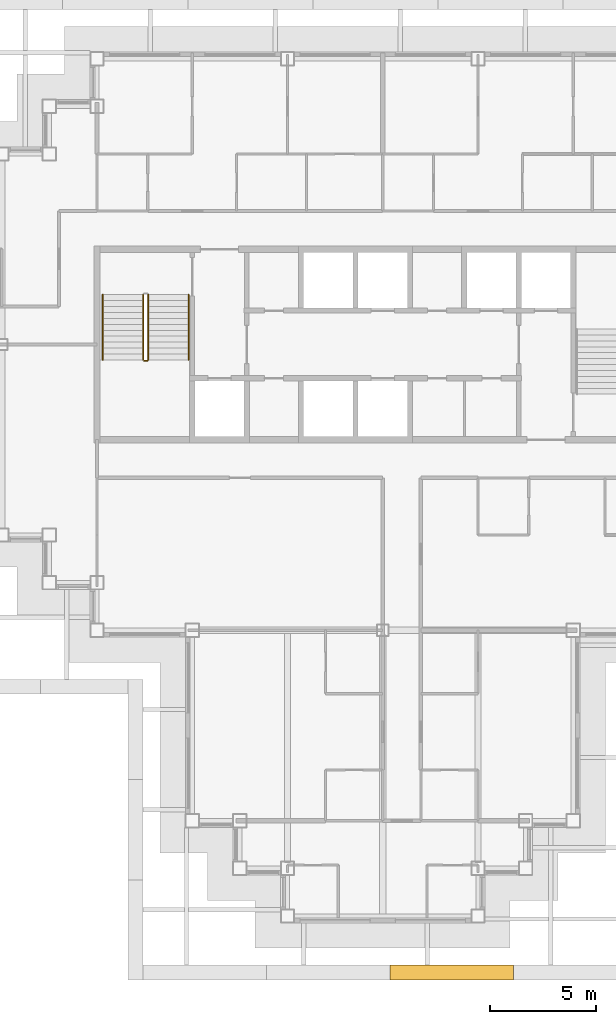
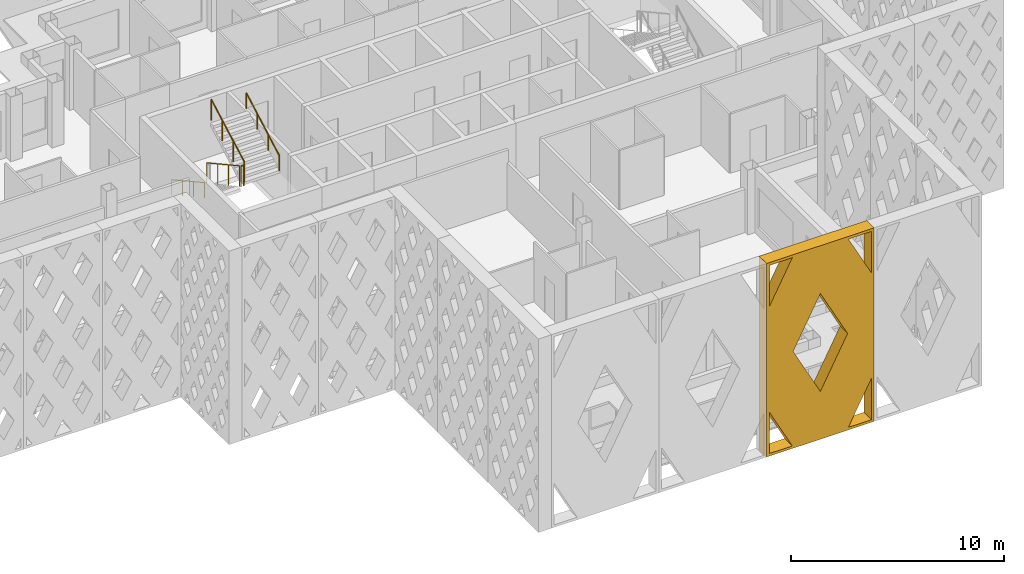
# One storey, part 13 of 17: 5 railings, 1 shading device.
"""IFC4 building model written with IfcOpenShell, lengths in metres."""

from ifc_helpers import new_model, si_unit, direction, frame, origin, origin_2d, place, context, subcontext, project, spatial, polyline, circle, outline, extrude, material, type_object, element, save


model = new_model("IFC4")

# Units and contexts
model_context = context("Model", 3, precision=1e-05, world=origin(), true_north=direction((0.0, 1.0)))
body_context = subcontext(model_context, "Body", "Model", "MODEL_VIEW")
ifc_project = project(units=[si_unit("LENGTHUNIT", "METRE"), si_unit("AREAUNIT", "SQUARE_METRE"), si_unit("VOLUMEUNIT", "CUBIC_METRE"), si_unit("PLANEANGLEUNIT", "RADIAN"), si_unit("MASSUNIT", "GRAM", prefix="KILO")], contexts=[model_context])

# Site, building, storey
site_placement = place(None, origin())
site = spatial("IfcSite", under=ifc_project, at=site_placement, CompositionType="ELEMENT")
building_placement = place(site_placement, origin())
building = spatial("IfcBuilding", under=site, at=building_placement, Name="Caravel Reach Hotel and Residences", CompositionType="ELEMENT")
storey_placement = place(building_placement, frame((0.0, 0.0, 222.0)))
storey = spatial("IfcBuildingStorey", under=building, at=storey_placement, Name="L56", CompositionType="ELEMENT", Elevation=222.0)

# Shading device
ifc_material_1 = material(Name="Black powder-coated aluminium", Category="aluminium")
shading_device_type = type_object("IfcShadingDeviceType", Name="Diamond lattice screen panel 5838 x 11100", PredefinedType="USERDEFINED", material=ifc_material_1)
shading_device_placement = place(storey_placement, frame((31.85009765625, -2.324951171875, 0.0), z_axis=(0.0, -1.0, 0.0), x_axis=(1.0, 0.0, 0.0)))
element("IfcShadingDevice", 1, at=shading_device_placement, inside=storey, type_object=shading_device_type, Name="Lattice screen L56-L58 12.3", ObjectType="SCREEN", PredefinedType="USERDEFINED", context=body_context, shape_type="SweptSolid", body=[
    extrude(outline(polyline([(0.0, 0.0), (5.83740234375, 0.0), (5.83740234375, 11.10009765625), (0.0, 11.10009765625), (0.0, 0.0)]), holes=[polyline([(1.399658203125, 0.14990234375), (0.14990234375, 2.5263671875), (0.14990234375, 0.14990234375), (1.399658203125, 0.14990234375)]), polyline([(0.14990234375, 8.573486328125), (1.399658203125, 10.949951171875), (0.14990234375, 10.949951171875), (0.14990234375, 8.573486328125)]), polyline([(2.918701171875, 8.361572265625), (1.440185546875, 5.550048828125), (2.918701171875, 2.73828125), (4.3974609375, 5.550048828125), (2.918701171875, 8.361572265625)]), polyline([(5.6875, 2.5263671875), (4.437744140625, 0.14990234375), (5.6875, 0.14990234375), (5.6875, 2.5263671875)]), polyline([(4.437744140625, 10.949951171875), (5.6875, 8.573486328125), (5.6875, 10.949951171875), (4.437744140625, 10.949951171875)])]), origin(), (0.0, 0.0, 1.0), 0.699951171875),
])

# Railings
ifc_material_2 = material(Name="Steel balustrade with glass infill", Category="steel")
railing_type_1 = type_object("IfcRailingType", Name="Guard 1200", PredefinedType="GUARDRAIL", material=ifc_material_2)
railing_1_placement = place(storey_placement, frame((20.175048828125, 29.35009765625, 0.154052734375)))
element("IfcRailing", 2, at=railing_1_placement, inside=storey, type_object=railing_type_1, Name="L56 ST-A stair guard 1", PredefinedType="GUARDRAIL", context=body_context, shape_type="SweptSolid", body=[
    extrude(circle(Radius=0.02392578125, at=origin_2d()), frame((0.0, 0.0, 1.17578125), z_axis=(0.0, -0.875975380505, 0.482355815502), x_axis=(1.0, 0.0, 0.0)), (0.0, 0.0, 1.0), 3.51611328125),
    extrude(circle(Radius=0.02099609375, at=origin_2d()), origin(), (0.0, 0.0, 1.0), 1.15185546875),
    extrude(circle(Radius=0.02099609375, at=origin_2d()), frame((0.0, -1.026611328125, 0.5654296875)), (0.0, 0.0, 1.0), 1.15185546875),
    extrude(circle(Radius=0.02099609375, at=origin_2d()), frame((0.0, -2.053466796875, 1.130615234375)), (0.0, 0.0, 1.0), 1.15185546875),
    extrude(circle(Radius=0.02099609375, at=origin_2d()), frame((0.0, -3.080078125, 1.696044921875)), (0.0, 0.0, 1.0), 1.15185546875),
])
railing_2_placement = place(storey_placement, frame((20.22509765625, 26.219970703125, 1.85009765625)))
element("IfcRailing", 3, at=railing_2_placement, inside=storey, type_object=railing_type_1, Name="L56 ST-A stair guard 2", PredefinedType="GUARDRAIL", context=body_context, shape_type="SweptSolid", body=[
    extrude(circle(Radius=0.02392578125, at=origin_2d()), frame((0.0, 0.0, 1.17578125), z_axis=(1.0, 0.0, 0.0), x_axis=(0.0, 1.0, 0.0)), (0.0, 0.0, 1.0), 0.14990234375),
    extrude(circle(Radius=0.02099609375, at=origin_2d()), origin(), (0.0, 0.0, 1.0), 1.15185546875),
    extrude(circle(Radius=0.02099609375, at=origin_2d()), frame((0.14990234375, 0.0, 0.0)), (0.0, 0.0, 1.0), 1.15185546875),
])
railing_3_placement = place(storey_placement, frame((20.425048828125, 26.27001953125, 2.004150390625)))
element("IfcRailing", 4, at=railing_3_placement, inside=storey, type_object=railing_type_1, Name="L56 ST-A stair guard 3", PredefinedType="GUARDRAIL", context=body_context, shape_type="SweptSolid", body=[
    extrude(circle(Radius=0.02392578125, at=origin_2d()), frame((0.0, 0.0, 1.17578125), z_axis=(0.0, 0.876004717809, 0.482302534076), x_axis=(-1.0, 0.0, 0.0)), (0.0, 0.0, 1.0), 3.51611328125),
    extrude(circle(Radius=0.02099609375, at=origin_2d()), origin(), (0.0, 0.0, 1.0), 1.15185546875),
    extrude(circle(Radius=0.02099609375, at=origin_2d()), frame((0.0, 1.026611328125, 0.565185546875)), (0.0, 0.0, 1.0), 1.15185546875),
    extrude(circle(Radius=0.02099609375, at=origin_2d()), frame((0.0, 2.053466796875, 1.130615234375)), (0.0, 0.0, 1.0), 1.15185546875),
    extrude(circle(Radius=0.02099609375, at=origin_2d()), frame((0.0, 3.080078125, 1.69580078125)), (0.0, 0.0, 1.0), 1.15185546875),
])
ifc_material_3 = material(Name="Stainless steel handrail", Category="steel")
railing_type_2 = type_object("IfcRailingType", Name="Handrail 900", PredefinedType="HANDRAIL", material=ifc_material_3)
railing_4_placement = place(storey_placement, frame((18.27490234375, 29.35009765625, 0.154052734375)))
element("IfcRailing", 5, at=railing_4_placement, inside=storey, type_object=railing_type_2, Name="L56 ST-A stair handrail 1", PredefinedType="HANDRAIL", context=body_context, shape_type="SweptSolid", body=[
    extrude(circle(Radius=0.02392578125, at=origin_2d()), frame((0.0, 0.0, 0.8759765625), z_axis=(0.0, -0.875975380505, 0.482355815502), x_axis=(1.0, 0.0, 0.0)), (0.0, 0.0, 1.0), 3.51611328125),
    extrude(circle(Radius=0.02099609375, at=origin_2d()), origin(), (0.0, 0.0, 1.0), 0.851806640625),
    extrude(circle(Radius=0.02099609375, at=origin_2d()), frame((0.0, -1.026611328125, 0.5654296875)), (0.0, 0.0, 1.0), 0.851806640625),
    extrude(circle(Radius=0.02099609375, at=origin_2d()), frame((0.0, -2.053466796875, 1.130615234375)), (0.0, 0.0, 1.0), 0.851806640625),
    extrude(circle(Radius=0.02099609375, at=origin_2d()), frame((0.0, -3.080078125, 1.696044921875)), (0.0, 0.0, 1.0), 0.851806640625),
])
railing_5_placement = place(storey_placement, frame((22.324951171875, 26.27001953125, 2.004150390625)))
element("IfcRailing", 6, at=railing_5_placement, inside=storey, type_object=railing_type_2, Name="L56 ST-A stair handrail 2", PredefinedType="HANDRAIL", context=body_context, shape_type="SweptSolid", body=[
    extrude(circle(Radius=0.02392578125, at=origin_2d()), frame((0.0, 0.0, 0.8759765625), z_axis=(0.0, 0.876004717809, 0.482302534076), x_axis=(-1.0, 0.0, 0.0)), (0.0, 0.0, 1.0), 3.51611328125),
    extrude(circle(Radius=0.02099609375, at=origin_2d()), origin(), (0.0, 0.0, 1.0), 0.851806640625),
    extrude(circle(Radius=0.02099609375, at=origin_2d()), frame((0.0, 1.026611328125, 0.565185546875)), (0.0, 0.0, 1.0), 0.851806640625),
    extrude(circle(Radius=0.02099609375, at=origin_2d()), frame((0.0, 2.053466796875, 1.130615234375)), (0.0, 0.0, 1.0), 0.851806640625),
    extrude(circle(Radius=0.02099609375, at=origin_2d()), frame((0.0, 3.080078125, 1.69580078125)), (0.0, 0.0, 1.0), 0.851806640625),
])

save(model, "model.ifc")
